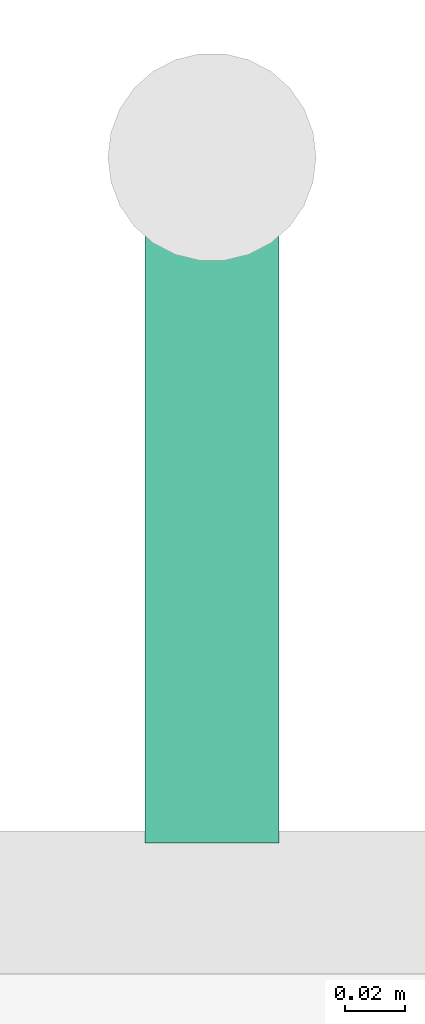
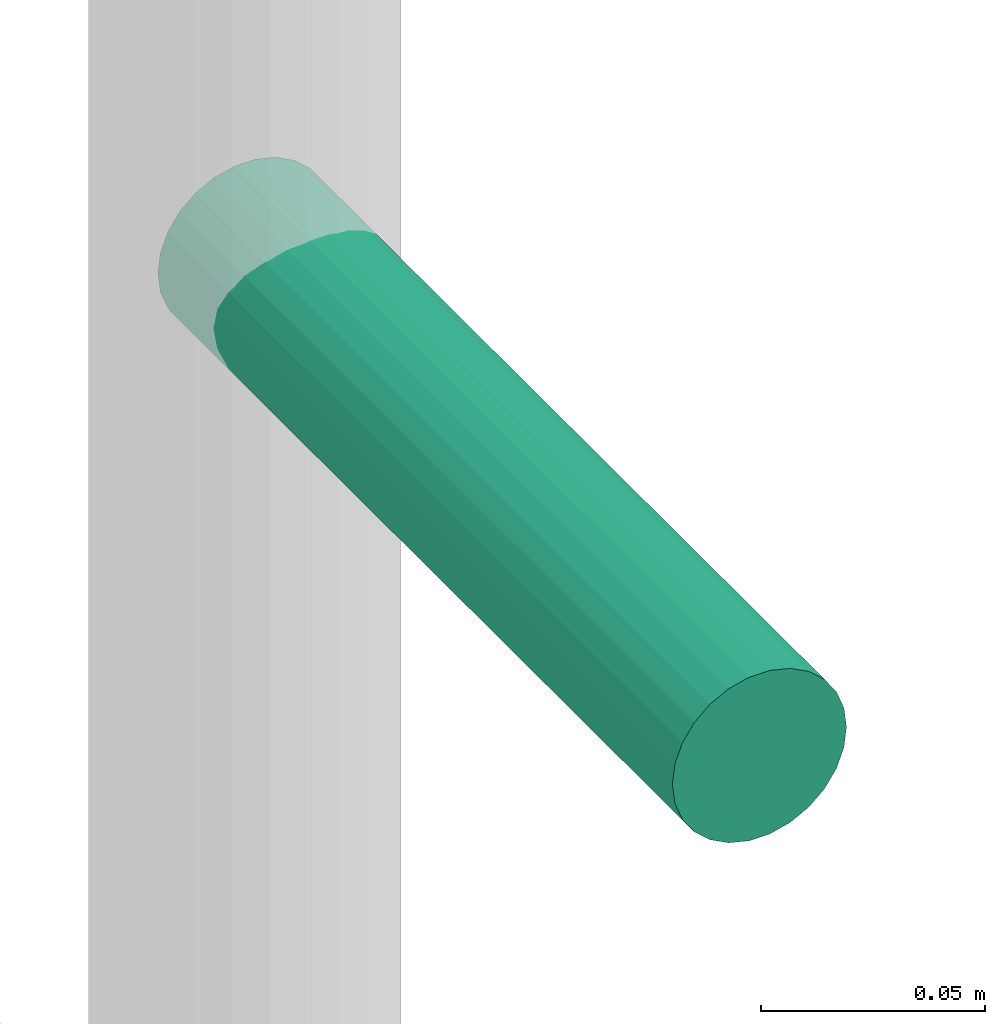
# One storey, part 28 of 31: 1 pipe fitting.
"""IFC4 building model written with IfcOpenShell, lengths in metres."""

from ifc_helpers import new_model, si_unit, direction, frame, origin, origin_2d, place, context, subcontext, project, spatial, circle, extrude, element, save


model = new_model("IFC4")

# Units and contexts
model_context = context("Model", 3, precision=1e-05, world=origin(), true_north=direction((0.0, 1.0)))
body_context = subcontext(model_context, "Body", "Model", "MODEL_VIEW")
ifc_project = project(units=[si_unit("LENGTHUNIT", "METRE"), si_unit("AREAUNIT", "SQUARE_METRE"), si_unit("VOLUMEUNIT", "CUBIC_METRE"), si_unit("PLANEANGLEUNIT", "RADIAN"), si_unit("MASSUNIT", "GRAM", prefix="KILO")], contexts=[model_context])

# Site, building, storey
site_placement = place(None, origin())
site = spatial("IfcSite", under=ifc_project, at=site_placement, CompositionType="ELEMENT")
building_placement = place(site_placement, origin())
building = spatial("IfcBuilding", under=site, at=building_placement, Name="Nzadi Deep Aquarium and Research Tower", CompositionType="ELEMENT")
storey_placement = place(building_placement, frame((0.0, 0.0, 26.699951171875)))
storey = spatial("IfcBuildingStorey", under=building, at=storey_placement, Name="L04", CompositionType="ELEMENT", Elevation=26.699951171875)

# Pipe fitting
pipe_fitting_placement = place(storey_placement, frame((2.300048828125, 68.9599609375, 1.10009765625), z_axis=(0.0, -1.0, 0.0), x_axis=(1.0, 0.0, 0.0)))
element("IfcPipeFitting", 1, at=pipe_fitting_placement, inside=storey, Name="Dry riser outlet ST-Z2-W L04", PredefinedType="EXIT", context=body_context, shape_type="SweptSolid", body=[
    extrude(circle(Radius=0.0224609375, at=origin_2d()), origin(), (0.0, 0.0, 1.0), 0.22998046875),
])

save(model, "model.ifc")
